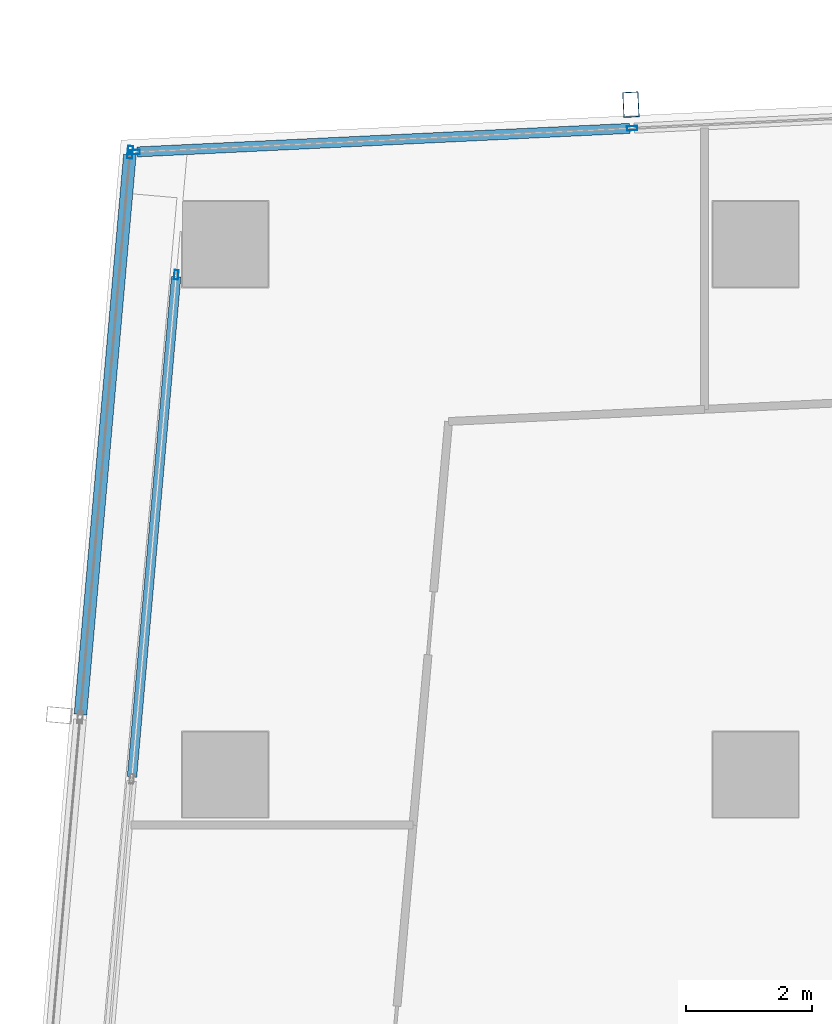
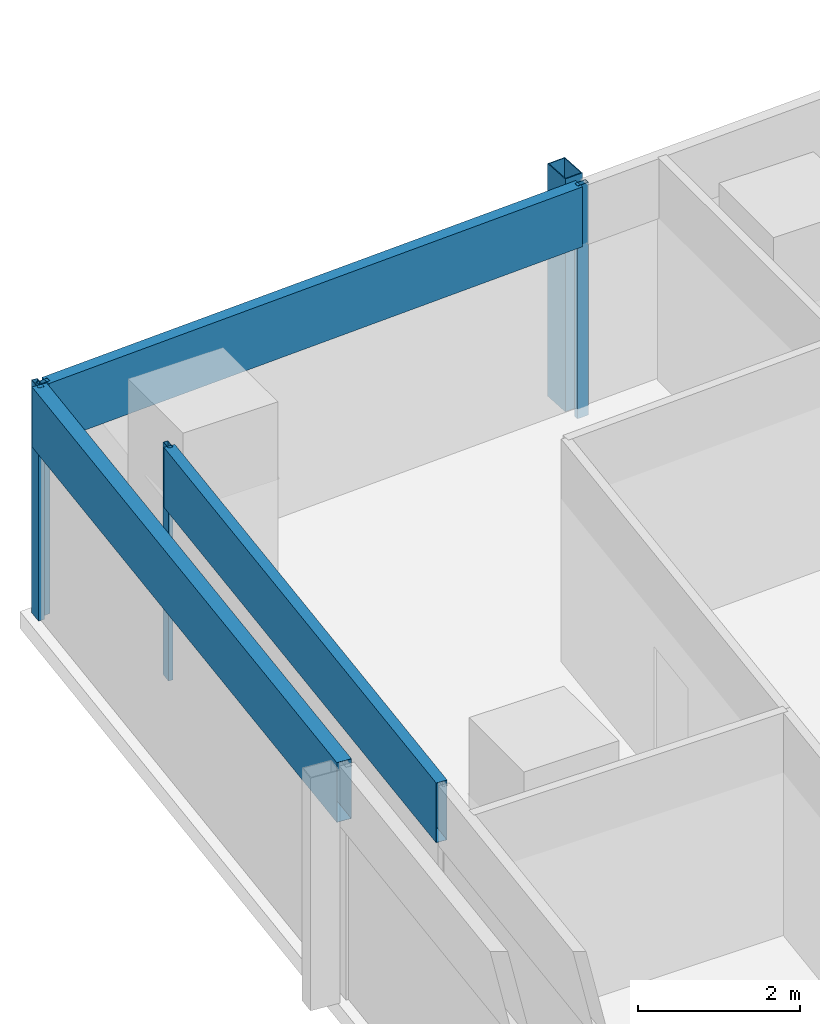
# One storey, part 17 of 39: 8 members, 3 elements without a shape of their own.
"""IFC4 building model written with IfcOpenShell, lengths in metres."""

import ifcopenshell
import ifcopenshell.guid

model = None  # the IFC model being written
_history = None  # IfcOwnerHistory: only IFC2X3 demands one
_inside = {}  # id of a spatial element -> (the spatial element, [elements in it])
_under = {}  # id of a project, library or spatial element -> (it, [spatial elements below it])
_declared = {}  # id of a project -> (the project, [libraries it declares])
_typed = {}  # id of a type object -> (the type object, [elements of that type])
_made_of = {}  # id of a material, layer set ... -> (it, [elements and type objects made of it])


def new_model(schema):
    """Start an empty IFC model of exactly this schema.

    Asked for "IFC4X3", IfcOpenShell would pick the latest addendum, in which some entities
    have other attributes; the version numbers below select the first issue.
    IFC2X3 requires an IfcOwnerHistory on every rooted entity: one is made here for all.
    """
    global model, _history
    if schema == "IFC4X3":
        model = ifcopenshell.file(schema_version=(4, 3, 0, 0))
    else:
        model = ifcopenshell.file(schema=schema)
    _inside.clear()
    _under.clear()
    _declared.clear()
    _typed.clear()
    _made_of.clear()
    _history = None
    if model.schema == "IFC2X3":
        org = make("IfcOrganization", Name="unknown")
        user = make(
            "IfcPersonAndOrganization",
            ThePerson=make("IfcPerson", FamilyName="unknown"),
            TheOrganization=org,
        )
        app = make(
            "IfcApplication",
            ApplicationDeveloper=org,
            Version="unknown",
            ApplicationFullName="unknown",
            ApplicationIdentifier="unknown",
        )
        _history = make(
            "IfcOwnerHistory",
            OwningUser=user,
            OwningApplication=app,
            ChangeAction="ADDED",
            CreationDate=0,
        )
    return model


def make(cls, **values):
    """One entity of the class cls with the attributes given. An attribute that is None is left unset."""
    return model.create_entity(
        cls, **{name: value for name, value in values.items() if value is not None}
    )


def rooted(cls, **values):
    """An entity with a GlobalId (a new one), such as an element, a storey or a relation."""
    return make(cls, GlobalId=ifcopenshell.guid.new(), OwnerHistory=_history, **values)


def si_unit(unit_type, name, prefix=None):
    """IfcSIUnit, for example si_unit("LENGTHUNIT", "METRE", prefix="MILLI")."""
    return make("IfcSIUnit", UnitType=unit_type, Prefix=prefix, Name=name)


def assignment(units):
    """IfcUnitAssignment: the units of a project."""
    return None if units is None else make("IfcUnitAssignment", Units=units)


def point(xyz):
    """IfcCartesianPoint."""
    return None if xyz is None else make("IfcCartesianPoint", Coordinates=xyz)


def direction(xyz):
    """IfcDirection."""
    return None if xyz is None else make("IfcDirection", DirectionRatios=xyz)


def frame(location, z_axis=None, x_axis=None):
    """IfcAxis2Placement3D, a coordinate frame: its origin and axes. An axis left out is left unset."""
    return make(
        "IfcAxis2Placement3D",
        Location=point(location),
        Axis=direction(z_axis),
        RefDirection=direction(x_axis),
    )


def frame_2d(location, x_axis=None):
    """IfcAxis2Placement2D, a coordinate frame in the plane: its origin and x axis."""
    return make(
        "IfcAxis2Placement2D", Location=point(location), RefDirection=direction(x_axis)
    )


def origin():
    """The frame at (0, 0, 0) with its axes left unset."""
    return frame((0.0, 0.0, 0.0))


def origin_2d():
    """The frame at (0, 0) in the plane with its x axis left unset."""
    return frame_2d((0.0, 0.0))


def place(relative_to, where):
    """IfcLocalPlacement: puts the frame where relative to a parent placement (None: the world)."""
    return make(
        "IfcLocalPlacement", PlacementRelTo=relative_to, RelativePlacement=where
    )


def context(
    kind, dimensions, precision=None, world=None, true_north=None, identifier=None
):
    """IfcGeometricRepresentationContext, for example the 3D "Model" context."""
    return make(
        "IfcGeometricRepresentationContext",
        ContextIdentifier=identifier,
        ContextType=kind,
        CoordinateSpaceDimension=dimensions,
        Precision=precision,
        WorldCoordinateSystem=world,
        TrueNorth=true_north,
    )


def subcontext(parent, identifier, kind, view, scale=None):
    """IfcGeometricRepresentationSubContext, for example "Body" below "Model"."""
    return make(
        "IfcGeometricRepresentationSubContext",
        ContextIdentifier=identifier,
        ContextType=kind,
        ParentContext=parent,
        TargetScale=scale,
        TargetView=view,
    )


def project(units=None, contexts=None):
    """IfcProject with its units and contexts."""
    return rooted(
        "IfcProject",
        Name="project",
        RepresentationContexts=contexts,
        UnitsInContext=assignment(units),
    )


def spatial(cls, under=None, at=None, **own):
    """A site, building, storey or space (cls), placed at a placement, below another one or the project."""
    s = rooted(cls, ObjectPlacement=at, **own)
    if under is not None:
        _under.setdefault(under.id(), (under, []))[1].append(s)
    return s


def profile(cls, at=None, kind="AREA", **sizes):
    """A parametric profile (cls). Its sizes go by their IFC names, for example OverallWidth=200.0."""
    return make(cls, ProfileType=kind, Position=at, **sizes)


def hollow_rectangle(**sizes):
    """IfcRectangleHollowProfileDef."""
    return profile("IfcRectangleHollowProfileDef", **sizes)


def extrude(swept, where, along, depth):
    """IfcExtrudedAreaSolid: the profile swept, set in the frame where, extruded along a direction by depth."""
    return make(
        "IfcExtrudedAreaSolid",
        SweptArea=swept,
        Position=where,
        ExtrudedDirection=direction(along),
        Depth=depth,
    )


def shape(context_of_items, identifier, shape_type, items):
    """IfcShapeRepresentation: the items that make up one representation, for example the "Body"."""
    return make(
        "IfcShapeRepresentation",
        ContextOfItems=context_of_items,
        RepresentationIdentifier=identifier,
        RepresentationType=shape_type,
        Items=items,
    )


def material(Name=None, Category=None):
    """IfcMaterial."""
    return make("IfcMaterial", Name=Name, Category=Category)


def material_profile(
    of_material, cross_section, Name=None, Category=None, Priority=None
):
    """IfcMaterialProfile: a cross section and its material."""
    return make(
        "IfcMaterialProfile",
        Name=Name,
        Material=of_material,
        Profile=cross_section,
        Priority=Priority,
        Category=Category,
    )


def profile_set(profiles, Name=None, composite=None):
    """IfcMaterialProfileSet."""
    return make(
        "IfcMaterialProfileSet",
        Name=Name,
        MaterialProfiles=profiles,
        CompositeProfile=composite,
    )


def made_of(thing, what):
    """Note that an element or type object is made of a material, layer set ...; save() writes the relation."""
    if what is not None:
        _made_of.setdefault(what.id(), (what, []))[1].append(thing)
    return thing


def type_object(cls, material=None, **own):
    """A type object (cls), such as IfcWallType, which elements share."""
    return made_of(rooted(cls, **own), material)


def element(
    cls,
    number,
    at=None,
    inside=None,
    cuts=None,
    type_object=None,
    material=None,
    context=None,
    identifier="Body",
    shape_type=None,
    held_by="IfcProductDefinitionShape",
    body=None,
    shapes=None,
    **own,
):
    """One element of the class cls, such as IfcWall. Its Tag is "e" and its number.

    at: its placement. inside: the storey or other place that contains it. cuts: it is an
    opening in that element (IfcRelVoidsElement). A single representation is given by context,
    identifier, shape_type and body (its items); several are given by shapes. held_by: the class
    of the entity that holds the representations. save() writes the other relations.
    """
    e = rooted(cls, Tag="e%d" % number, ObjectPlacement=at, **own)
    if body is not None:
        shapes = [shape(context, identifier, shape_type, body)]
    if shapes is not None:
        e.Representation = make(held_by, Representations=shapes)
    if inside is not None:
        _inside.setdefault(inside.id(), (inside, []))[1].append(e)
    if cuts is not None:
        rooted(
            "IfcRelVoidsElement", RelatingBuildingElement=cuts, RelatedOpeningElement=e
        )
    if type_object is not None:
        _typed.setdefault(type_object.id(), (type_object, []))[1].append(e)
    return made_of(e, material)


def aggregate(whole, parts):
    """IfcRelAggregates: a whole, such as a stair, and the parts it consists of."""
    return rooted("IfcRelAggregates", RelatingObject=whole, RelatedObjects=parts)


def save(model, path):
    """Write the relations noted so far, then the file.

    IfcRelAggregates (storeys below a building ...), IfcRelContainedInSpatialStructure (elements
    in a storey), IfcRelDefinesByType, IfcRelAssociatesMaterial and IfcRelDeclares: one each for
    every whole, place, type object, material and project.
    """
    for whole, parts in _under.values():
        aggregate(whole, parts)
    for where, things in _inside.values():
        rooted(
            "IfcRelContainedInSpatialStructure",
            RelatedElements=things,
            RelatingStructure=where,
        )
    for kind, things in _typed.values():
        rooted("IfcRelDefinesByType", RelatedObjects=things, RelatingType=kind)
    for what, things in _made_of.values():
        rooted("IfcRelAssociatesMaterial", RelatedObjects=things, RelatingMaterial=what)
    for by, libraries in _declared.values():
        rooted("IfcRelDeclares", RelatingContext=by, RelatedDefinitions=libraries)
    model.write(path)


model = new_model("IFC4")

# Units and contexts
model_context = context("Model", 3, precision=1e-05, world=origin(), true_north=direction((0.0, 1.0)))
body_context = subcontext(model_context, "Body", "Model", "MODEL_VIEW")
ifc_project = project(units=[si_unit("LENGTHUNIT", "METRE"), si_unit("AREAUNIT", "SQUARE_METRE"), si_unit("VOLUMEUNIT", "CUBIC_METRE"), si_unit("PLANEANGLEUNIT", "RADIAN"), si_unit("MASSUNIT", "GRAM", prefix="KILO")], contexts=[model_context])

# Site, building, storey
site_placement = place(None, origin())
site = spatial("IfcSite", under=ifc_project, at=site_placement, CompositionType="ELEMENT")
building_placement = place(site_placement, origin())
building = spatial("IfcBuilding", under=site, at=building_placement, Name="Rekha Terrace Tower", CompositionType="ELEMENT")
storey_placement = place(building_placement, frame((0.0, 0.0, 187.699951171875)))
storey = spatial("IfcBuildingStorey", under=building, at=storey_placement, Name="L47", CompositionType="ELEMENT", Elevation=187.699951171875)

# Curtain wall, member
ifc_material_1 = material(Name="Aluminium framing", Category="aluminium")
curtain_wall_type_1 = type_object("IfcCurtainWallType", Name="CW3 north unitised glazing", PredefinedType="USERDEFINED", material=ifc_material_1)
curtain_wall_1_placement = place(storey_placement, origin())
curtain_wall_1 = element("IfcCurtainWall", 1, at=curtain_wall_1_placement, inside=storey, type_object=curtain_wall_type_1, Name="CW3 unitised curtain wall", ObjectType="UNITISED CURTAIN WALL", PredefinedType="USERDEFINED")
ifc_material_2 = material(Name="Steel S355 with fluorocarbon finish", Category="steel")
ifc_material_profile_1 = material_profile(ifc_material_2, hollow_rectangle(XDim=0.25, YDim=0.39990234375, WallThickness=0.012451171875, at=origin_2d()), Name="RHS400x250x12.5")
ifc_profile_set_1 = profile_set([ifc_material_profile_1], Name="Steel S355 with fluorocarbon finish")
member_type_1 = type_object("IfcMemberType", Name="BL1 facade blade RHS 400 x 250", PredefinedType="USERDEFINED", material=ifc_profile_set_1)
member_1_placement = place(storey_placement, frame((14.824951171875, 61.01123046875, 0.0), z_axis=(0.0, 0.0, 1.0), x_axis=(-0.998858913274, -0.04775846913, 0.0)))
member_1 = element("IfcMember", 2, at=member_1_placement, type_object=member_type_1, Name="Facade blade", ObjectType="FACADE BLADE", PredefinedType="USERDEFINED", context=body_context, shape_type="SweptSolid", body=[
    extrude(hollow_rectangle(XDim=0.25, YDim=0.39990234375, WallThickness=0.012451171875, at=origin_2d()), origin(), (0.0, 0.0, 1.0), 3.5),
])

# Curtain wall, members
curtain_wall_type_2 = type_object("IfcCurtainWallType", Name="CW1 double skin inner glazing", PredefinedType="USERDEFINED", material=ifc_material_1)
curtain_wall_2_placement = place(storey_placement, origin())
curtain_wall_2 = element("IfcCurtainWall", 3, at=curtain_wall_2_placement, inside=storey, type_object=curtain_wall_type_2, Name="CW1 double skin inner glazing", ObjectType="DOUBLE SKIN INNER GLAZING", PredefinedType="USERDEFINED")
ifc_material_3 = material(Name="Aluminium mullion section", Category="aluminium")
ifc_material_profile_2 = material_profile(ifc_material_3, hollow_rectangle(XDim=0.06494140625, YDim=0.14990234375, WallThickness=0.00390625, at=origin_2d()), Name="AL RHS 65x150")
ifc_profile_set_2 = profile_set([ifc_material_profile_2], Name="Aluminium mullion section")
member_type_2 = type_object("IfcMemberType", Name="CW1 mullion RHS 65 x 150", PredefinedType="MULLION", material=ifc_profile_set_2)
member_2_placement = place(storey_placement, frame((7.625732421875, 58.316650390625, 0.0), z_axis=(0.0, 0.0, 1.0), x_axis=(0.996124185422, -0.087957985523, 0.0)))
member_2 = element("IfcMember", 4, at=member_2_placement, type_object=member_type_2, Name="CW1 mullion 1", PredefinedType="MULLION", context=body_context, shape_type="SweptSolid", body=[
    extrude(hollow_rectangle(XDim=0.06494140625, YDim=0.14990234375, WallThickness=0.00390625, at=origin_2d()), origin(), (0.0, 0.0, 1.0), 3.5),
])
ifc_material_4 = material(Name="Insulated aluminium spandrel box", Category="aluminium")
ifc_material_profile_3 = material_profile(ifc_material_4, hollow_rectangle(XDim=0.14990234375, YDim=0.89990234375, WallThickness=0.0029296875, at=origin_2d()), Name="AL SPANDREL BOX 150x900")
ifc_profile_set_3 = profile_set([ifc_material_profile_3], Name="Insulated aluminium spandrel box")
member_type_3 = type_object("IfcMemberType", Name="CW1 spandrel transom 150 x 900", PredefinedType="USERDEFINED", material=ifc_profile_set_3)
member_3_placement = place(storey_placement, frame((7.622802734375, 58.2841796875, 3.050048828125), z_axis=(-0.087941305291, -0.996125658149, 0.0), x_axis=(0.996125658149, -0.087941305291, 0.0)))
member_3 = element("IfcMember", 5, at=member_3_placement, type_object=member_type_3, Name="CW1 spandrel transom 1", ObjectType="TRANSOM", PredefinedType="USERDEFINED", context=body_context, shape_type="SweptSolid", body=[
    extrude(hollow_rectangle(XDim=0.14990234375, YDim=0.89990234375, WallThickness=0.0029296875, at=origin_2d()), origin(), (0.0, 0.0, 1.0), 7.950927734375),
])
aggregate(curtain_wall_2, [member_2, member_3])

curtain_wall_type_3 = type_object("IfcCurtainWallType", Name="CW2 double skin outer glazing", PredefinedType="USERDEFINED", material=ifc_material_1)
curtain_wall_3_placement = place(storey_placement, origin())
curtain_wall_3 = element("IfcCurtainWall", 6, at=curtain_wall_3_placement, inside=storey, type_object=curtain_wall_type_3, Name="CW2 double skin outer glazing", ObjectType="DOUBLE SKIN OUTER GLAZING", PredefinedType="USERDEFINED")
ifc_material_profile_4 = material_profile(ifc_material_3, hollow_rectangle(XDim=0.080078125, YDim=0.199951171875, WallThickness=0.00390625, at=origin_2d()), Name="AL RHS 80x200")
ifc_profile_set_4 = profile_set([ifc_material_profile_4], Name="Aluminium mullion section")
member_type_4 = type_object("IfcMemberType", Name="CW2 mullion RHS 80 x 200", PredefinedType="MULLION", material=ifc_profile_set_4)
member_4_placement = place(storey_placement, frame((6.8935546875, 60.257080078125, 0.0), z_axis=(0.0, 0.0, 1.0), x_axis=(0.996124185428, -0.087957985453, 0.0)))
member_4 = element("IfcMember", 7, at=member_4_placement, type_object=member_type_4, Name="CW2 mullion 1", PredefinedType="MULLION", context=body_context, shape_type="SweptSolid", body=[
    extrude(hollow_rectangle(XDim=0.080078125, YDim=0.199951171875, WallThickness=0.00390625, at=origin_2d()), origin(), (0.0, 0.0, 1.0), 3.5),
])
ifc_material_profile_5 = material_profile(ifc_material_4, hollow_rectangle(XDim=0.199951171875, YDim=0.89990234375, WallThickness=0.0029296875, at=origin_2d()), Name="AL SPANDREL BOX 200x900")
ifc_profile_set_5 = profile_set([ifc_material_profile_5], Name="Insulated aluminium spandrel box")
member_type_5 = type_object("IfcMemberType", Name="CW2 spandrel transom 200 x 900", PredefinedType="USERDEFINED", material=ifc_profile_set_5)
member_5_placement = place(storey_placement, frame((6.89013671875, 60.217041015625, 3.050048828125), z_axis=(-0.08797787529, -0.996122428951, 0.0), x_axis=(0.996122428951, -0.08797787529, 0.0)))
member_5 = element("IfcMember", 8, at=member_5_placement, type_object=member_type_5, Name="CW2 spandrel transom 1", ObjectType="TRANSOM", PredefinedType="USERDEFINED", context=body_context, shape_type="SweptSolid", body=[
    extrude(hollow_rectangle(XDim=0.199951171875, YDim=0.89990234375, WallThickness=0.0029296875, at=origin_2d()), origin(), (0.0, 0.0, 1.0), 8.8994140625),
])
aggregate(curtain_wall_3, [member_4, member_5])

# Member
ifc_material_profile_6 = material_profile(ifc_material_3, hollow_rectangle(XDim=0.070068359375, YDim=0.159912109375, WallThickness=0.00390625, at=origin_2d()), Name="AL RHS 70x160")
ifc_profile_set_6 = profile_set([ifc_material_profile_6], Name="Aluminium mullion section")
member_type_6 = type_object("IfcMemberType", Name="CW3 mullion RHS 70 x 160", PredefinedType="MULLION", material=ifc_profile_set_6)
member_6_placement = place(storey_placement, frame((14.843017578125, 60.63671875, 0.0), z_axis=(0.0, 0.0, 1.0), x_axis=(0.047758616983, -0.998858906204, 0.0)))
member_6 = element("IfcMember", 9, at=member_6_placement, type_object=member_type_6, Name="CW3 mullion 5", PredefinedType="MULLION", context=body_context, shape_type="SweptSolid", body=[
    extrude(hollow_rectangle(XDim=0.070068359375, YDim=0.159912109375, WallThickness=0.00390625, at=origin_2d()), origin(), (0.0, 0.0, 1.0), 3.5),
])

member_7_placement = place(storey_placement, frame((6.96875, 60.26025390625, 0.0), z_axis=(0.0, 0.0, 1.0), x_axis=(0.047758616983, -0.998858906204, 0.0)))
member_7 = element("IfcMember", 10, at=member_7_placement, type_object=member_type_6, Name="CW3 mullion 6", PredefinedType="MULLION", context=body_context, shape_type="SweptSolid", body=[
    extrude(hollow_rectangle(XDim=0.070068359375, YDim=0.159912109375, WallThickness=0.00390625, at=origin_2d()), origin(), (0.0, 0.0, 1.0), 3.5),
])

ifc_material_profile_7 = material_profile(ifc_material_4, hollow_rectangle(XDim=0.159912109375, YDim=0.89990234375, WallThickness=0.0029296875, at=origin_2d()), Name="AL SPANDREL BOX 160x900")
ifc_profile_set_7 = profile_set([ifc_material_profile_7], Name="Insulated aluminium spandrel box")
member_type_7 = type_object("IfcMemberType", Name="CW3 spandrel transom 160 x 900", PredefinedType="USERDEFINED", material=ifc_profile_set_7)
member_8_placement = place(storey_placement, frame((14.807861328125, 60.635009765625, 3.050048828125), z_axis=(-0.998859425172, -0.047747761666, 0.0), x_axis=(0.047747761666, -0.998859425172, 0.0)))
member_8 = element("IfcMember", 11, at=member_8_placement, type_object=member_type_7, Name="CW3 spandrel transom 5", ObjectType="TRANSOM", PredefinedType="USERDEFINED", context=body_context, shape_type="SweptSolid", body=[
    extrude(hollow_rectangle(XDim=0.159912109375, YDim=0.89990234375, WallThickness=0.0029296875, at=origin_2d()), origin(), (0.0, 0.0, 1.0), 7.81298828125),
])

aggregate(curtain_wall_1, [member_6, member_7, member_8, member_1])

save(model, "model.ifc")
